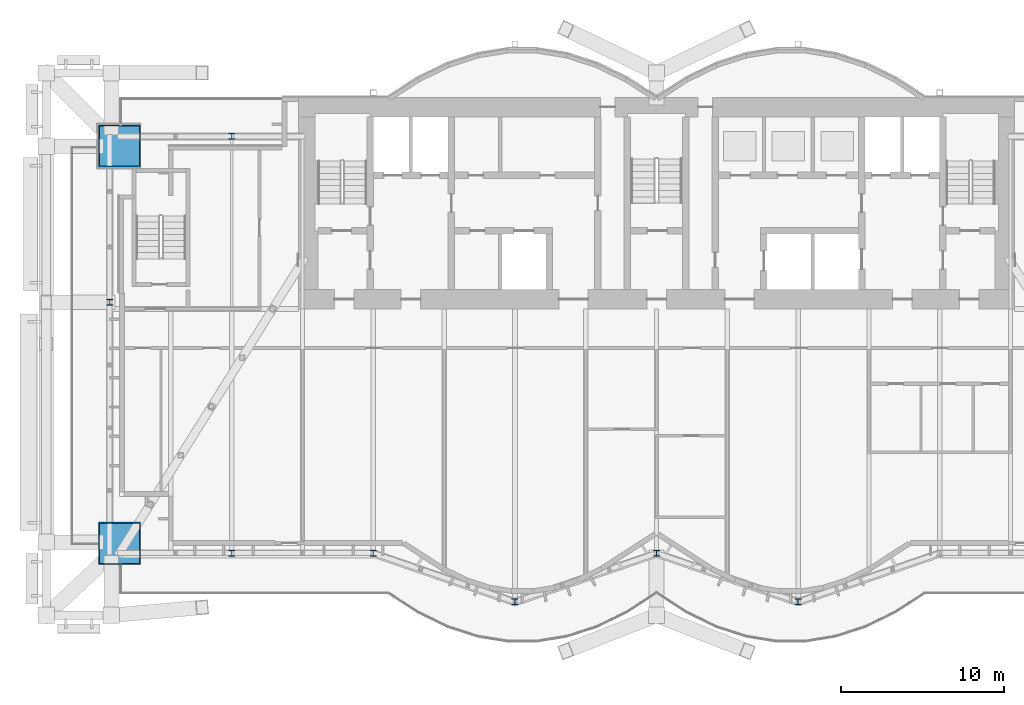
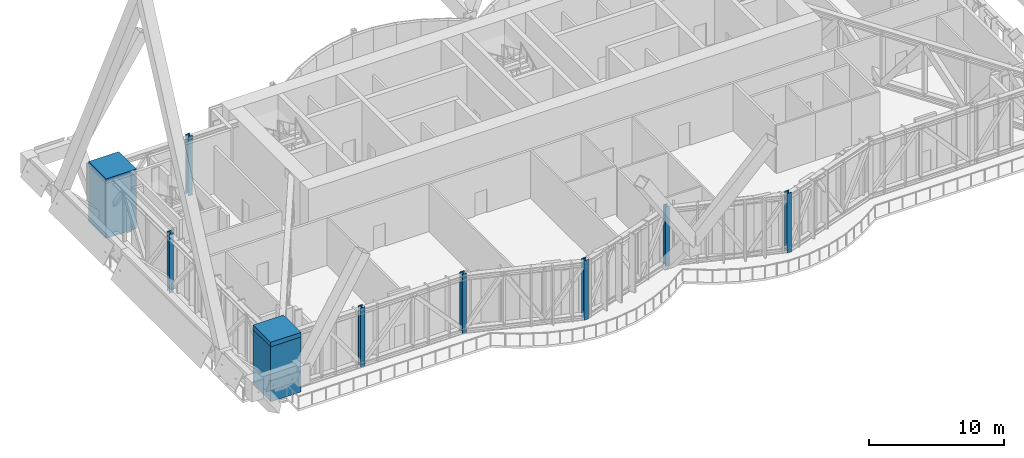
# One storey, part 1 of 31: 11 columns.
"""IFC4 building model written with IfcOpenShell, lengths in metres."""

from ifc_helpers import new_model, si_unit, direction, frame, origin, origin_2d, place, context, subcontext, project, spatial, rectangle, hollow_rectangle, i_section, extrude, material, material_profile, profile_set, type_object, element, save


model = new_model("IFC4")

# Units and contexts
model_context = context("Model", 3, precision=1e-05, world=origin(), true_north=direction((0.0, 1.0)))
body_context = subcontext(model_context, "Body", "Model", "MODEL_VIEW")
ifc_project = project(units=[si_unit("LENGTHUNIT", "METRE"), si_unit("AREAUNIT", "SQUARE_METRE"), si_unit("VOLUMEUNIT", "CUBIC_METRE"), si_unit("PLANEANGLEUNIT", "RADIAN"), si_unit("MASSUNIT", "GRAM", prefix="KILO")], contexts=[model_context])

# Site, building, storey
site_placement = place(None, origin())
site = spatial("IfcSite", under=ifc_project, at=site_placement, CompositionType="ELEMENT")
building_placement = place(site_placement, origin())
building = spatial("IfcBuilding", under=site, at=building_placement, Name="Bicima Exchange Tower", CompositionType="ELEMENT")
storey_placement = place(building_placement, frame((0.0, 0.0, 236.0)))
storey = spatial("IfcBuildingStorey", under=building, at=storey_placement, Name="L53", CompositionType="ELEMENT", Elevation=236.0)

# Columns
ifc_material_1 = material(Name="Steel ASTM A572 Gr 50", Category="steel")
ifc_material_profile_1 = material_profile(ifc_material_1, hollow_rectangle(XDim=2.60009765625, YDim=2.60009765625, WallThickness=0.070068359375, at=origin_2d()))
ifc_profile_set_1 = profile_set([ifc_material_profile_1], Name="Steel ASTM A572 Gr 50")
column_type_1 = type_object("IfcColumnType", Name="Mega column BOX 2600x2600x70", PredefinedType="COLUMN", material=ifc_profile_set_1)
for number, where, z_axis, x_axis, name in (
    (1, (-33.0, -27.409912109375, 0.0), (0.0, 0.0, 1.0), (1.0, 0.0, 0.0), "Mega column mega-33.0f"),
    (2, (-33.0, -3.0, 0.0), (0.0, 0.0, 1.0), (1.0, 0.0, 0.0), "Mega column mega-33.0r"),
):
    element("IfcColumn", number, at=place(storey_placement, frame(where, z_axis=z_axis, x_axis=x_axis)), inside=storey, type_object=column_type_1, Name=name, PredefinedType="COLUMN", context=body_context, shape_type="SweptSolid", body=[
        extrude(hollow_rectangle(XDim=2.60009765625, YDim=2.60009765625, WallThickness=0.070068359375, at=origin_2d()), origin(), (0.0, 0.0, 1.0), 4.97998046875),
    ])
ifc_material_profile_2 = material_profile(ifc_material_1, rectangle(XDim=2.60009765625, YDim=2.60009765625, at=origin_2d()))
ifc_profile_set_2 = profile_set([ifc_material_profile_2], Name="Steel ASTM A572 Gr 50")
column_type_2 = type_object("IfcColumnType", Name="Mega column transition block 2600 x 420", PredefinedType="COLUMN", material=ifc_profile_set_2)
for number, where, z_axis, x_axis, name in (
    (3, (-33.0, -27.409912109375, 4.97998046875), (0.0, 0.0, 1.0), (1.0, 0.0, 0.0), "Mega column transition block mega-33.0f"),
    (4, (-33.0, -3.0, 4.97998046875), (0.0, 0.0, 1.0), (1.0, 0.0, 0.0), "Mega column transition block mega-33.0r"),
):
    element("IfcColumn", number, at=place(storey_placement, frame(where, z_axis=z_axis, x_axis=x_axis)), inside=storey, type_object=column_type_2, Name=name, PredefinedType="COLUMN", context=body_context, shape_type="SweptSolid", body=[
        extrude(rectangle(XDim=2.60009765625, YDim=2.60009765625, at=origin_2d()), origin(), (0.0, 0.0, 1.0), 0.419921875),
    ])
ifc_material_2 = material(Name="Steel ASTM A992 Gr 50", Category="steel")
ifc_material_profile_3 = material_profile(ifc_material_2, i_section(OverallWidth=0.373291015625, OverallDepth=0.373291015625, WebThickness=0.016357421875, FlangeThickness=0.026123046875, at=origin_2d()))
ifc_profile_set_3 = profile_set([ifc_material_profile_3], Name="Steel ASTM A992 Gr 50")
column_type_3 = type_object("IfcColumnType", Name="Perimeter column W14x132", PredefinedType="COLUMN", material=ifc_profile_set_3)
for number, where, z_axis, x_axis, name in (
    (5, (-26.10009765625, -28.010009765625, 0.0), (0.0, 0.0, 1.0), (1.0, 0.0, 0.0), "Perimeter column grav-26.1f"),
    (6, (-26.10009765625, -2.39990234375, 0.0), (0.0, 0.0, 1.0), (1.0, 0.0, 0.0), "Perimeter column grav-26.1r"),
    (7, (-17.39990234375, -28.010009765625, 0.0), (0.0, 0.0, 1.0), (1.0, 0.0, 0.0), "Perimeter column grav-17.4f"),
    (8, (-8.699951171875, -31.001220703125, 0.0), (0.0, 0.0, 1.0), (1.0, 0.0, 0.0), "Perimeter column grav-8.7f"),
    (9, (0.0, -28.010009765625, 0.0), (0.0, 0.0, 1.0), (1.0, 0.0, 0.0), "Perimeter column grav-0.0f"),
    (10, (8.699951171875, -31.001220703125, 0.0), (0.0, 0.0, 1.0), (1.0, 0.0, 0.0), "Perimeter column grav+8.7f"),
    (11, (-33.60009765625, -12.60009765625, 0.0), (0.0, 0.0, 1.0), (1.0, 0.0, 0.0), "End column end-33.6e"),
):
    element("IfcColumn", number, at=place(storey_placement, frame(where, z_axis=z_axis, x_axis=x_axis)), inside=storey, type_object=column_type_3, Name=name, PredefinedType="COLUMN", context=body_context, shape_type="SweptSolid", body=[
        extrude(i_section(OverallWidth=0.373291015625, OverallDepth=0.373291015625, WebThickness=0.016357421875, FlangeThickness=0.026123046875, at=origin_2d()), origin(), (0.0, 0.0, 1.0), 5.39990234375),
    ])

save(model, "model.ifc")
